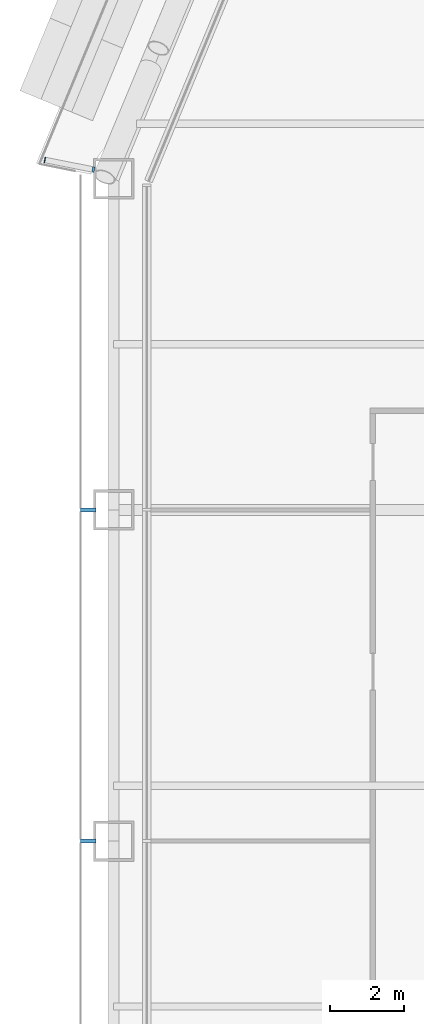
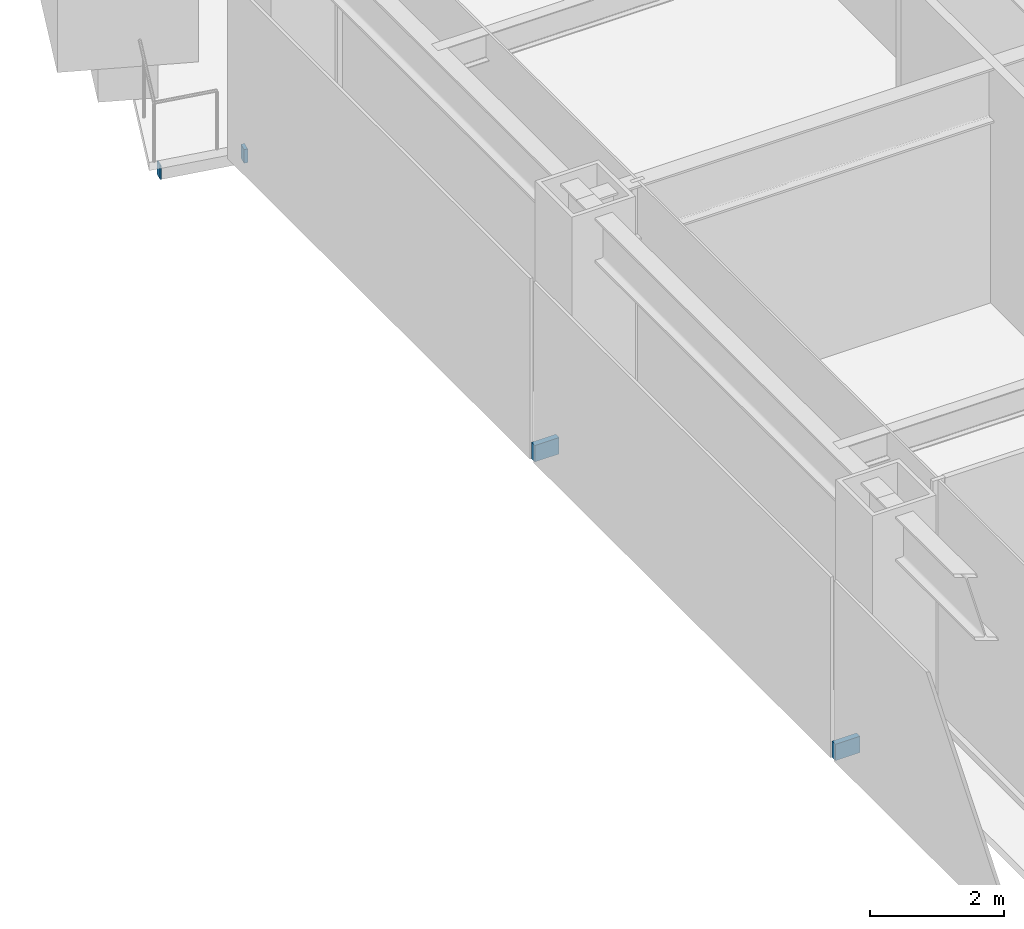
# One storey, part 18 of 28: 4 discrete accessories.
"""IFC4 building model written with IfcOpenShell, lengths in metres."""

from ifc_helpers import new_model, si_unit, direction, frame, origin, origin_2d, place, context, subcontext, project, spatial, rectangle, extrude, material, layer, layer_set, type_object, element, save


model = new_model("IFC4")

# Units and contexts
model_context = context("Model", 3, precision=1e-05, world=origin(), true_north=direction((0.0, 1.0)))
body_context = subcontext(model_context, "Body", "Model", "MODEL_VIEW")
ifc_project = project(units=[si_unit("LENGTHUNIT", "METRE"), si_unit("AREAUNIT", "SQUARE_METRE"), si_unit("VOLUMEUNIT", "CUBIC_METRE"), si_unit("PLANEANGLEUNIT", "RADIAN"), si_unit("MASSUNIT", "GRAM", prefix="KILO")], contexts=[model_context])

# Site, building, storey
site_placement = place(None, origin())
site = spatial("IfcSite", under=ifc_project, at=site_placement, CompositionType="ELEMENT")
building_placement = place(site_placement, origin())
building = spatial("IfcBuilding", under=site, at=building_placement, Name="Siwar Civic Tower", CompositionType="ELEMENT")
storey_placement = place(building_placement, frame((0.0, 0.0, 31.199951171875)))
storey = spatial("IfcBuildingStorey", under=building, at=storey_placement, Name="L06", CompositionType="ELEMENT", Elevation=31.199951171875)

# Discrete accessories
ifc_material_1 = material(Name="Stainless steel 316", Category="steel")
discrete_accessory_type_1 = type_object("IfcDiscreteAccessoryType", Name="ENV-BRACKET", PredefinedType="BRACKET", material=ifc_material_1)
for number, where, z_axis, x_axis, name in (
    (1, (-32.18994140625, 13.5, -0.14990234375), (0.0, 0.0, 1.0), (-1.0, 0.0, 0.0), "Bracket outer skin joint W-01"),
    (2, (-32.18994140625, 4.5, -0.14990234375), (0.0, 0.0, 1.0), (-1.0, 0.0, 0.0), "Bracket outer skin joint W-02"),
):
    element("IfcDiscreteAccessory", number, at=place(storey_placement, frame(where, z_axis=z_axis, x_axis=x_axis)), inside=storey, type_object=discrete_accessory_type_1, Name=name, PredefinedType="BRACKET", context=body_context, shape_type="SweptSolid", body=[
        extrude(rectangle(XDim=0.419921875, YDim=0.10009765625, at=origin_2d()), origin(), (0.0, 0.0, 1.0), 0.300048828125),
    ])
discrete_accessory_1_placement = place(storey_placement, frame((-32.050048828125, 22.752197265625, -0.39990234375), z_axis=(0.0, 0.0, 1.0), x_axis=(-0.980785280403, 0.195090322016, 0.0)))
element("IfcDiscreteAccessory", 3, at=discrete_accessory_1_placement, inside=storey, type_object=discrete_accessory_type_1, Name="Bracket balcony cantilever beam NW 3", PredefinedType="BRACKET", context=body_context, shape_type="SweptSolid", body=[
    extrude(rectangle(XDim=0.06005859375, YDim=0.14990234375, at=origin_2d()), origin(), (0.0, 0.0, 1.0), 0.25),
])
ifc_material_2 = material(Name="Steel S355", Category="steel")
ifc_layer = layer(ifc_material_2, 0.02001953125)
ifc_layer_set = layer_set([ifc_layer], Name="Steel S355")
discrete_accessory_type_2 = type_object("IfcDiscreteAccessoryType", Name="STR-END-CAP", PredefinedType="USERDEFINED", material=ifc_layer_set)
discrete_accessory_2_placement = place(storey_placement, frame((-33.36865234375, 23.014404296875, -0.39990234375), z_axis=(0.0, 0.0, 1.0), x_axis=(-0.980785280277, 0.195090322649, 0.0)))
element("IfcDiscreteAccessory", 4, at=discrete_accessory_2_placement, inside=storey, type_object=discrete_accessory_type_2, Name="End cap plate Balcony cantilever beam NW 3", ObjectType="END CAP PLATE", PredefinedType="USERDEFINED", context=body_context, shape_type="SweptSolid", body=[
    extrude(rectangle(XDim=0.02001953125, YDim=0.14990234375, at=origin_2d()), origin(), (0.0, 0.0, 1.0), 0.25),
])

save(model, "model.ifc")
